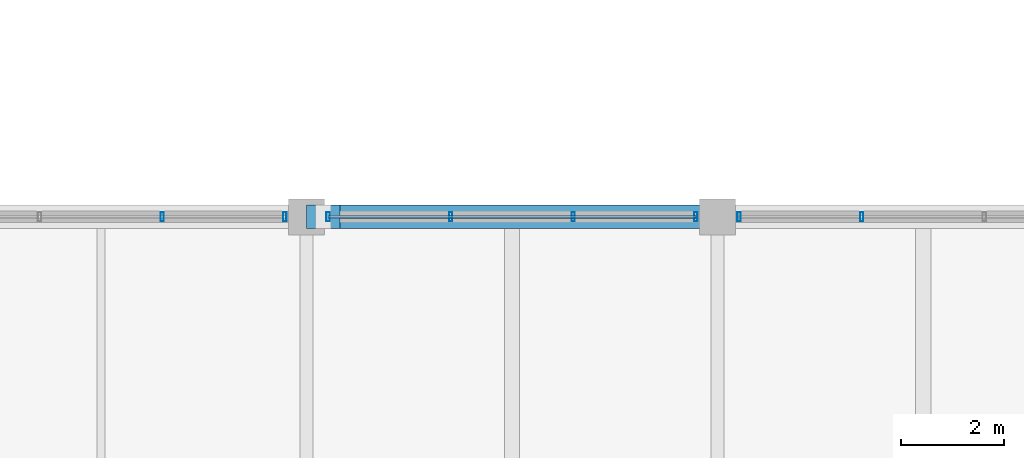
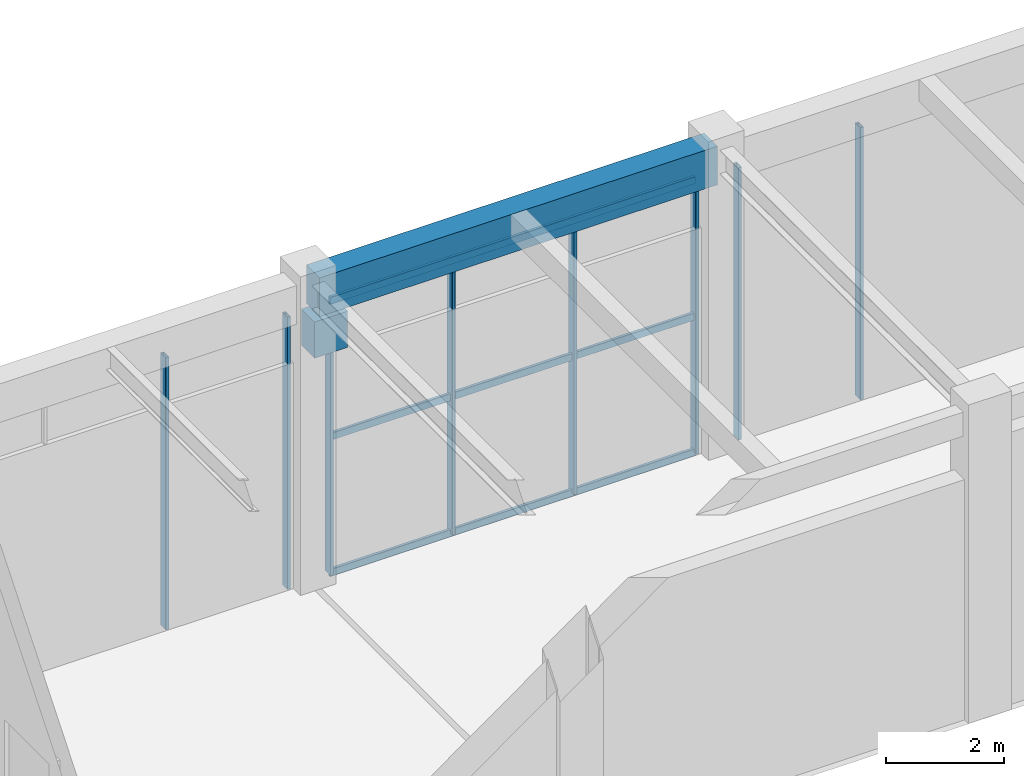
# One storey, part 32 of 163: 11 members, 2 beams, 3 elements without a shape of their own.
"""IFC4 building model written with IfcOpenShell, lengths in metres."""

from ifc_helpers import new_model, si_unit, direction, frame, origin, origin_2d, place, context, subcontext, project, spatial, rectangle, hollow_rectangle, extrude, material, material_profile, profile_set, type_object, element, aggregate, save


model = new_model("IFC4")

# Units and contexts
model_context = context("Model", 3, precision=1e-05, world=origin(), true_north=direction((0.0, 1.0)))
body_context = subcontext(model_context, "Body", "Model", "MODEL_VIEW")
ifc_project = project(units=[si_unit("LENGTHUNIT", "METRE"), si_unit("AREAUNIT", "SQUARE_METRE"), si_unit("VOLUMEUNIT", "CUBIC_METRE"), si_unit("PLANEANGLEUNIT", "RADIAN"), si_unit("MASSUNIT", "GRAM", prefix="KILO")], contexts=[model_context])

# Site, building, storey
site_placement = place(None, origin())
site = spatial("IfcSite", under=ifc_project, at=site_placement, CompositionType="ELEMENT")
building_placement = place(site_placement, origin())
building = spatial("IfcBuilding", under=site, at=building_placement, Name="Varnabhumi Central Station", CompositionType="ELEMENT")
storey_placement = place(building_placement, frame((0.0, 0.0, 9.60009765625)))
storey = spatial("IfcBuildingStorey", under=building, at=storey_placement, Name="L02", CompositionType="ELEMENT", Elevation=9.60009765625)

# Beams
ifc_material_1 = material(Name="Concrete M40", Category="concrete")
ifc_material_profile_1 = material_profile(ifc_material_1, rectangle(XDim=0.449951171875, YDim=0.75, at=origin_2d()), Name="Concrete M40", Category="concrete")
ifc_profile_set_1 = profile_set([ifc_material_profile_1], Name="Concrete M40")
beam_type_1 = type_object("IfcBeamType", Name="BM-RC-450x750", PredefinedType="BEAM", material=ifc_profile_set_1)
beam_1_placement = place(storey_placement, frame((120.0, 9.0, 5.094970703125), z_axis=(1.0, 0.0, 0.0), x_axis=(0.0, 1.0, 0.0)))
element("IfcBeam", 1, at=beam_1_placement, inside=storey, type_object=beam_type_1, Name="Movement Joint 650mm Corbel Seat L02-B-16", PredefinedType="BEAM", context=body_context, shape_type="SweptSolid", body=[
    extrude(rectangle(XDim=0.449951171875, YDim=0.75, at=origin_2d()), origin(), (0.0, 0.0, 1.0), 0.64990234375),
])
ifc_material_profile_2 = material_profile(ifc_material_1, rectangle(XDim=0.449951171875, YDim=0.800048828125, at=origin_2d()), Name="Concrete M40", Category="concrete")
ifc_profile_set_2 = profile_set([ifc_material_profile_2], Name="Concrete M40")
beam_type_2 = type_object("IfcBeamType", Name="BM-RC-450x800", PredefinedType="BEAM", material=ifc_profile_set_2)
beam_2_placement = place(storey_placement, frame((120.10009765625, 9.0, 5.949951171875), z_axis=(1.0, 0.0, 0.0), x_axis=(0.0, 1.0, 0.0)))
element("IfcBeam", 2, at=beam_2_placement, inside=storey, type_object=beam_type_2, Name="Beam L02-B:16-17", PredefinedType="BEAM", context=body_context, shape_type="SweptSolid", body=[
    extrude(rectangle(XDim=0.449951171875, YDim=0.800048828125, at=origin_2d()), origin(), (0.0, 0.0, 1.0), 7.7998046875),
])

# Curtain wall, members
ifc_material_2 = material(Name="Anodised aluminium 6063-T6", Category="aluminium")
curtain_wall_type = type_object("IfcCurtainWallType", Name="CW-PATIO-LOGGIA-L2", PredefinedType="NOTDEFINED", material=ifc_material_2)
curtain_wall_1_placement = place(storey_placement, origin())
curtain_wall_1 = element("IfcCurtainWall", 3, at=curtain_wall_1_placement, inside=storey, type_object=curtain_wall_type, Name="Curtain Wall CW-SP2S1", PredefinedType="NOTDEFINED")
ifc_material_profile_3 = material_profile(ifc_material_2, hollow_rectangle(XDim=0.06494140625, YDim=0.179931640625, WallThickness=0.00390625, InnerFilletRadius=0.001953125, OuterFilletRadius=0.006103515625, at=origin_2d()), Name="Anodised aluminium 6063-T6", Category="aluminium")
ifc_profile_set_3 = profile_set([ifc_material_profile_3], Name="Anodised aluminium 6063-T6")
member_type_1 = type_object("IfcMemberType", Name="CW-MUL-180", PredefinedType="MULLION", material=ifc_profile_set_3)
member_1_placement = place(storey_placement, frame((117.193359375, 9.0, 0.0), z_axis=(0.0, 0.0, 1.0), x_axis=(1.0, 0.0, 0.0)))
member_1 = element("IfcMember", 4, at=member_1_placement, type_object=member_type_1, Name="Curtain Wall Mullion CW-SP2S1-M3", PredefinedType="MULLION", context=body_context, shape_type="SweptSolid", body=[
    extrude(hollow_rectangle(XDim=0.06494140625, YDim=0.179931640625, WallThickness=0.00390625, InnerFilletRadius=0.001953125, OuterFilletRadius=0.006103515625, at=origin_2d()), origin(), (0.0, 0.0, 1.0), 5.639892578125),
])
member_2_placement = place(storey_placement, frame((119.580078125, 9.0, 0.0), z_axis=(0.0, 0.0, 1.0), x_axis=(1.0, 0.0, 0.0)))
member_2 = element("IfcMember", 5, at=member_2_placement, type_object=member_type_1, Name="Curtain Wall Mullion CW-SP2S1-M4", PredefinedType="MULLION", context=body_context, shape_type="SweptSolid", body=[
    extrude(hollow_rectangle(XDim=0.06494140625, YDim=0.179931640625, WallThickness=0.00390625, InnerFilletRadius=0.001953125, OuterFilletRadius=0.006103515625, at=origin_2d()), origin(), (0.0, 0.0, 1.0), 5.639892578125),
])
aggregate(curtain_wall_1, [member_1, member_2])

curtain_wall_2_placement = place(storey_placement, origin())
curtain_wall_2 = element("IfcCurtainWall", 6, at=curtain_wall_2_placement, inside=storey, type_object=curtain_wall_type, Name="Curtain Wall CW-SP2S2", PredefinedType="NOTDEFINED")
member_3_placement = place(storey_placement, frame((120.419921875, 9.0, 0.0), z_axis=(0.0, 0.0, 1.0), x_axis=(1.0, 0.0, 0.0)))
member_3 = element("IfcMember", 7, at=member_3_placement, type_object=member_type_1, Name="Curtain Wall Mullion CW-SP2S2-M1", PredefinedType="MULLION", context=body_context, shape_type="SweptSolid", body=[
    extrude(hollow_rectangle(XDim=0.06494140625, YDim=0.179931640625, WallThickness=0.00390625, InnerFilletRadius=0.001953125, OuterFilletRadius=0.006103515625, at=origin_2d()), origin(), (0.0, 0.0, 1.0), 5.639892578125),
])
member_4_placement = place(storey_placement, frame((122.806640625, 9.0, 0.0), z_axis=(0.0, 0.0, 1.0), x_axis=(1.0, 0.0, 0.0)))
member_4 = element("IfcMember", 8, at=member_4_placement, type_object=member_type_1, Name="Curtain Wall Mullion CW-SP2S2-M2", PredefinedType="MULLION", context=body_context, shape_type="SweptSolid", body=[
    extrude(hollow_rectangle(XDim=0.06494140625, YDim=0.179931640625, WallThickness=0.00390625, InnerFilletRadius=0.001953125, OuterFilletRadius=0.006103515625, at=origin_2d()), origin(), (0.0, 0.0, 1.0), 5.639892578125),
])
member_5_placement = place(storey_placement, frame((125.193359375, 9.0, 0.0), z_axis=(0.0, 0.0, 1.0), x_axis=(1.0, 0.0, 0.0)))
member_5 = element("IfcMember", 9, at=member_5_placement, type_object=member_type_1, Name="Curtain Wall Mullion CW-SP2S2-M3", PredefinedType="MULLION", context=body_context, shape_type="SweptSolid", body=[
    extrude(hollow_rectangle(XDim=0.06494140625, YDim=0.179931640625, WallThickness=0.00390625, InnerFilletRadius=0.001953125, OuterFilletRadius=0.006103515625, at=origin_2d()), origin(), (0.0, 0.0, 1.0), 5.639892578125),
])
member_6_placement = place(storey_placement, frame((127.580078125, 9.0, 0.0), z_axis=(0.0, 0.0, 1.0), x_axis=(1.0, 0.0, 0.0)))
member_6 = element("IfcMember", 10, at=member_6_placement, type_object=member_type_1, Name="Curtain Wall Mullion CW-SP2S2-M4", PredefinedType="MULLION", context=body_context, shape_type="SweptSolid", body=[
    extrude(hollow_rectangle(XDim=0.06494140625, YDim=0.179931640625, WallThickness=0.00390625, InnerFilletRadius=0.001953125, OuterFilletRadius=0.006103515625, at=origin_2d()), origin(), (0.0, 0.0, 1.0), 5.639892578125),
])

curtain_wall_3_placement = place(storey_placement, origin())
curtain_wall_3 = element("IfcCurtainWall", 11, at=curtain_wall_3_placement, inside=storey, type_object=curtain_wall_type, Name="Curtain Wall CW-SP2S3", PredefinedType="NOTDEFINED")
member_7_placement = place(storey_placement, frame((128.419921875, 9.0, 0.0), z_axis=(0.0, 0.0, 1.0), x_axis=(1.0, 0.0, 0.0)))
member_7 = element("IfcMember", 12, at=member_7_placement, type_object=member_type_1, Name="Curtain Wall Mullion CW-SP2S3-M1", PredefinedType="MULLION", context=body_context, shape_type="SweptSolid", body=[
    extrude(hollow_rectangle(XDim=0.06494140625, YDim=0.179931640625, WallThickness=0.00390625, InnerFilletRadius=0.001953125, OuterFilletRadius=0.006103515625, at=origin_2d()), origin(), (0.0, 0.0, 1.0), 5.639892578125),
])
member_8_placement = place(storey_placement, frame((130.806640625, 9.0, 0.0), z_axis=(0.0, 0.0, 1.0), x_axis=(1.0, 0.0, 0.0)))
member_8 = element("IfcMember", 13, at=member_8_placement, type_object=member_type_1, Name="Curtain Wall Mullion CW-SP2S3-M2", PredefinedType="MULLION", context=body_context, shape_type="SweptSolid", body=[
    extrude(hollow_rectangle(XDim=0.06494140625, YDim=0.179931640625, WallThickness=0.00390625, InnerFilletRadius=0.001953125, OuterFilletRadius=0.006103515625, at=origin_2d()), origin(), (0.0, 0.0, 1.0), 5.639892578125),
])
aggregate(curtain_wall_3, [member_7, member_8])

# Member
ifc_material_profile_4 = material_profile(ifc_material_2, hollow_rectangle(XDim=0.06005859375, YDim=0.14990234375, WallThickness=0.00390625, InnerFilletRadius=0.001953125, OuterFilletRadius=0.006103515625, at=origin_2d()), Name="Anodised aluminium 6063-T6", Category="aluminium")
ifc_profile_set_4 = profile_set([ifc_material_profile_4], Name="Anodised aluminium 6063-T6")
member_type_2 = type_object("IfcMemberType", Name="CW-TR-150", PredefinedType="USERDEFINED", material=ifc_profile_set_4)
member_9_placement = place(storey_placement, frame((120.419921875, 9.0, 0.0), z_axis=(1.0, 0.0, 0.0), x_axis=(0.0, 1.0, 0.0)))
member_9 = element("IfcMember", 14, at=member_9_placement, type_object=member_type_2, Name="Curtain Wall Transom CW-SP2S2-T1", ObjectType="TRANSOM", PredefinedType="USERDEFINED", context=body_context, shape_type="SweptSolid", body=[
    extrude(hollow_rectangle(XDim=0.06005859375, YDim=0.14990234375, WallThickness=0.00390625, InnerFilletRadius=0.001953125, OuterFilletRadius=0.006103515625, at=origin_2d()), origin(), (0.0, 0.0, 1.0), 7.16015625),
])

member_10_placement = place(storey_placement, frame((120.419921875, 9.0, 2.81982421875), z_axis=(1.0, 0.0, 0.0), x_axis=(0.0, 1.0, 0.0)))
member_10 = element("IfcMember", 15, at=member_10_placement, type_object=member_type_2, Name="Curtain Wall Transom CW-SP2S2-T2", ObjectType="TRANSOM", PredefinedType="USERDEFINED", context=body_context, shape_type="SweptSolid", body=[
    extrude(hollow_rectangle(XDim=0.06005859375, YDim=0.14990234375, WallThickness=0.00390625, InnerFilletRadius=0.001953125, OuterFilletRadius=0.006103515625, at=origin_2d()), origin(), (0.0, 0.0, 1.0), 7.16015625),
])

member_11_placement = place(storey_placement, frame((120.419921875, 9.0, 5.639892578125), z_axis=(1.0, 0.0, 0.0), x_axis=(0.0, 1.0, 0.0)))
member_11 = element("IfcMember", 16, at=member_11_placement, type_object=member_type_2, Name="Curtain Wall Transom CW-SP2S2-T3", ObjectType="TRANSOM", PredefinedType="USERDEFINED", context=body_context, shape_type="SweptSolid", body=[
    extrude(hollow_rectangle(XDim=0.06005859375, YDim=0.14990234375, WallThickness=0.00390625, InnerFilletRadius=0.001953125, OuterFilletRadius=0.006103515625, at=origin_2d()), origin(), (0.0, 0.0, 1.0), 7.16015625),
])

aggregate(curtain_wall_2, [member_3, member_4, member_5, member_6, member_9, member_10, member_11])

save(model, "model.ifc")
